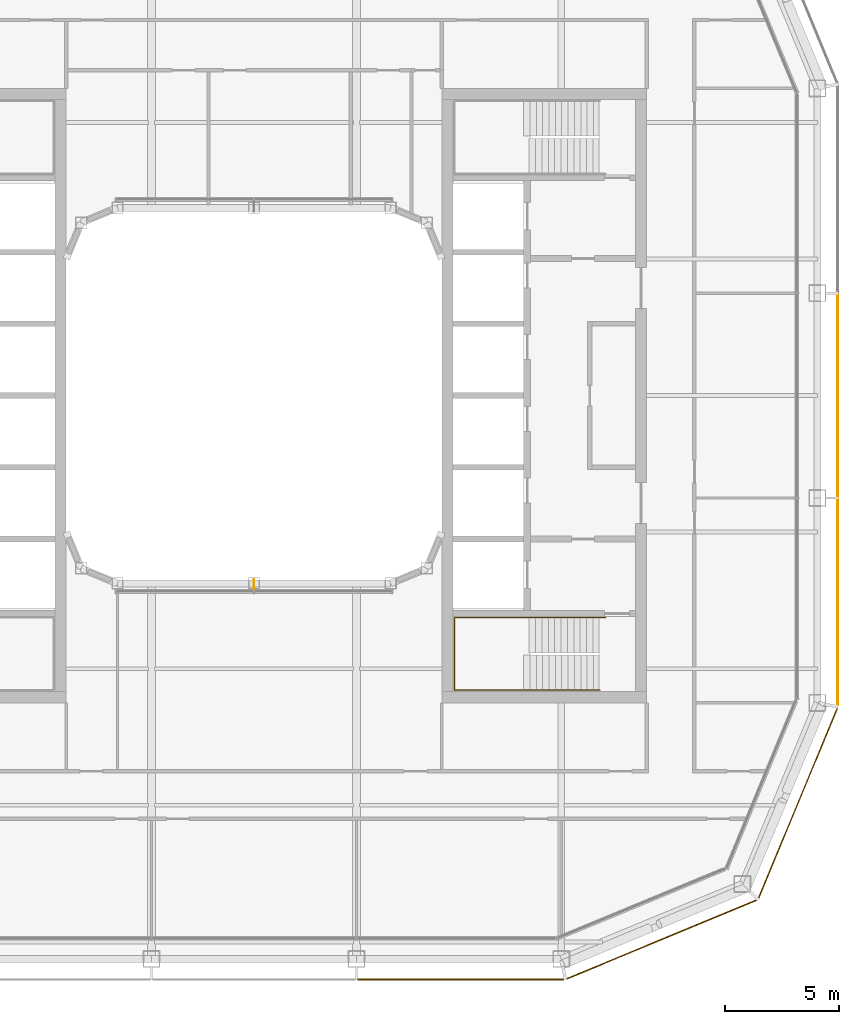
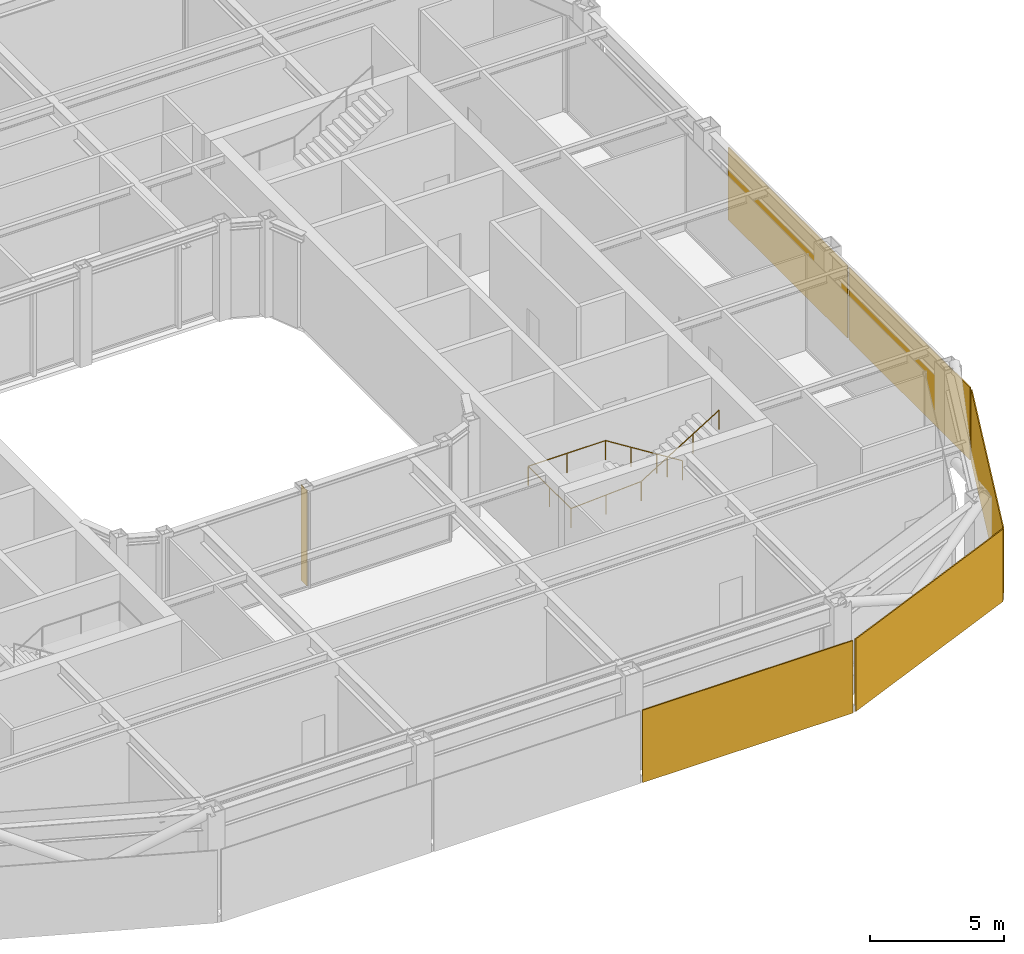
# One storey, part 18 of 21: 5 coverings, 1 railing, 1 shading device.
"""IFC4 building model written with IfcOpenShell, lengths in metres."""

from ifc_helpers import new_model, si_unit, direction, frame, origin, origin_2d, place, context, subcontext, project, spatial, rectangle, circle, extrude, material, layer, layer_set, type_object, element, save


model = new_model("IFC4")

# Units and contexts
model_context = context("Model", 3, precision=1e-05, world=origin(), true_north=direction((0.0, 1.0)))
body_context = subcontext(model_context, "Body", "Model", "MODEL_VIEW")
ifc_project = project(units=[si_unit("LENGTHUNIT", "METRE"), si_unit("AREAUNIT", "SQUARE_METRE"), si_unit("VOLUMEUNIT", "CUBIC_METRE"), si_unit("PLANEANGLEUNIT", "RADIAN"), si_unit("MASSUNIT", "GRAM", prefix="KILO")], contexts=[model_context])

# Site, building, storey
site_placement = place(None, origin())
site = spatial("IfcSite", under=ifc_project, at=site_placement, CompositionType="ELEMENT")
building_placement = place(site_placement, origin())
building = spatial("IfcBuilding", under=site, at=building_placement, Name="Siwar Civic Tower", CompositionType="ELEMENT")
storey_placement = place(building_placement, frame((0.0, 0.0, 294.199951171875)))
storey = spatial("IfcBuildingStorey", under=building, at=storey_placement, Name="L63", CompositionType="ELEMENT", Elevation=294.199951171875)

# Railing
ifc_material_1 = material(Name="Stainless steel", Category="steel")
railing_type = type_object("IfcRailingType", Name="CORE-STAIR-HANDRAIL", PredefinedType="HANDRAIL", material=ifc_material_1)
railing_placement = place(storey_placement, frame((15.449951171875, -9.758056640625, 0.173095703125)))
element("IfcRailing", 1, at=railing_placement, inside=storey, type_object=railing_type, Name="Stair handrail ST4", PredefinedType="HANDRAIL", context=body_context, shape_type="SweptSolid", body=[
    extrude(circle(Radius=0.02001953125, at=origin_2d()), frame((0.0, 0.0, 0.8798828125), z_axis=(-0.847063342986, 0.0, 0.531491950051), x_axis=(0.0, -1.0, 0.0)), (0.0, 0.0, 1.0), 3.90771484375),
    extrude(circle(Radius=0.02001953125, at=origin_2d()), frame((-3.31005859375, 0.0, 2.956787109375), z_axis=(-1.0, 0.0, 0.0), x_axis=(0.0, -1.0, 0.0)), (0.0, 0.0, 1.0), 3.331787109375),
    extrude(circle(Radius=0.02001953125, at=origin_2d()), frame((-6.641845703125, 0.0, 2.956787109375), z_axis=(0.0, -1.0, 0.0), x_axis=(1.0, 0.0, 0.0)), (0.0, 0.0, 1.0), 3.183837890625),
    extrude(circle(Radius=0.02001953125, at=origin_2d()), frame((-6.641845703125, -3.183837890625, 2.956787109375), z_axis=(0.99837434197, 0.0, 0.056997134106), x_axis=(0.0, 1.0, 0.0)), (0.0, 0.0, 1.0), 3.036865234375),
    extrude(circle(Radius=0.02001953125, at=origin_2d()), frame((-3.60986328125, -3.183837890625, 3.1298828125), z_axis=(0.850606129759, 0.0, 0.525803396734), x_axis=(0.0, 1.0, 0.0)), (0.0, 0.0, 1.0), 3.949951171875),
    extrude(circle(Radius=0.02001953125, at=origin_2d()), origin(), (0.0, 0.0, 1.0), 0.85986328125),
    extrude(circle(Radius=0.02001953125, at=origin_2d()), frame((-1.103271484375, 0.0, 0.6923828125)), (0.0, 0.0, 1.0), 0.85986328125),
    extrude(circle(Radius=0.02001953125, at=origin_2d()), frame((-2.206787109375, 0.0, 1.384521484375)), (0.0, 0.0, 1.0), 0.85986328125),
    extrude(circle(Radius=0.02001953125, at=origin_2d()), frame((-3.31005859375, 0.0, 2.076904296875)), (0.0, 0.0, 1.0), 0.85986328125),
    extrude(circle(Radius=0.02001953125, at=origin_2d()), frame((-4.97607421875, 0.0, 2.076904296875)), (0.0, 0.0, 1.0), 0.85986328125),
    extrude(circle(Radius=0.02001953125, at=origin_2d()), frame((-6.641845703125, 0.0, 2.076904296875)), (0.0, 0.0, 1.0), 0.85986328125),
    extrude(circle(Radius=0.02001953125, at=origin_2d()), frame((-6.641845703125, -1.591796875, 2.076904296875)), (0.0, 0.0, 1.0), 0.85986328125),
    extrude(circle(Radius=0.02001953125, at=origin_2d()), frame((-6.641845703125, -3.183837890625, 2.076904296875)), (0.0, 0.0, 1.0), 0.85986328125),
    extrude(circle(Radius=0.02001953125, at=origin_2d()), frame((-5.1259765625, -3.183837890625, 2.16357421875)), (0.0, 0.0, 1.0), 0.85986328125),
    extrude(circle(Radius=0.02001953125, at=origin_2d()), frame((-3.60986328125, -3.183837890625, 2.25)), (0.0, 0.0, 1.0), 0.85986328125),
    extrude(circle(Radius=0.02001953125, at=origin_2d()), frame((-2.489990234375, -3.183837890625, 2.9423828125)), (0.0, 0.0, 1.0), 0.85986328125),
    extrude(circle(Radius=0.02001953125, at=origin_2d()), frame((-1.369873046875, -3.183837890625, 3.634521484375)), (0.0, 0.0, 1.0), 0.85986328125),
    extrude(circle(Radius=0.02001953125, at=origin_2d()), frame((-0.25, -3.183837890625, 4.326904296875)), (0.0, 0.0, 1.0), 0.85986328125),
])

# Shading device
ifc_material_2 = material(Name="Aluminium 6063-T6", Category="aluminium")
ifc_layer_1 = layer(ifc_material_2, 0.02001953125)
ifc_layer_set_1 = layer_set([ifc_layer_1], Name="Aluminium 6063-T6")
shading_device_type = type_object("IfcShadingDeviceType", Name="ENV-FIN", PredefinedType="JALOUSIE", material=ifc_layer_set_1)
shading_device_placement = place(storey_placement, frame((0.0, -8.294921875, 0.0), z_axis=(0.0, 0.0, 1.0), x_axis=(1.0, 0.0, 0.0)))
element("IfcShadingDevice", 2, at=shading_device_placement, inside=storey, type_object=shading_device_type, Name="SUNSHADE fin WS 1", PredefinedType="JALOUSIE", context=body_context, shape_type="SweptSolid", body=[
    extrude(rectangle(XDim=0.02001953125, YDim=0.449951171875, at=origin_2d()), origin(), (0.0, 0.0, 1.0), 4.35009765625),
])

# Coverings
ifc_material_3 = material(Name="Perforated aluminium cassette, pale metal", Category="aluminium")
ifc_layer_2 = layer(ifc_material_3, 0.0400390625)
ifc_layer_set_2 = layer_set([ifc_layer_2], Name="Perforated aluminium cassette, pale metal")
covering_type_1 = type_object("IfcCoveringType", Name="ENV-OUTER SKIN OS-1", PredefinedType="CLADDING", material=ifc_layer_set_2)
covering_1_placement = place(storey_placement, frame((25.64990234375, -9.07958984375, -0.14990234375), z_axis=(0.0, 0.0, 1.0), x_axis=(0.0, 1.0, 0.0)))
element("IfcCovering", 3, at=covering_1_placement, inside=storey, type_object=covering_type_1, Name="OUTER SKIN OS-1 E 1", PredefinedType="CLADDING", context=body_context, shape_type="SweptSolid", body=[
    extrude(rectangle(XDim=9.05908203125, YDim=0.0400390625, at=origin_2d()), origin(), (0.0, 0.0, 1.0), 3.300048828125),
])
covering_2_placement = place(storey_placement, frame((25.64990234375, 0.0, -0.14990234375), z_axis=(0.0, 0.0, 1.0), x_axis=(0.0, 1.0, 0.0)))
element("IfcCovering", 4, at=covering_2_placement, inside=storey, type_object=covering_type_1, Name="OUTER SKIN OS-1 E 2", PredefinedType="CLADDING", context=body_context, shape_type="SweptSolid", body=[
    extrude(rectangle(XDim=8.89990234375, YDim=0.0400390625, at=origin_2d()), origin(), (0.0, 0.0, 1.0), 3.300048828125),
])
ifc_material_4 = material(Name="Perforated aluminium cassette, pale metal", Category="aluminium")
ifc_layer_3 = layer(ifc_material_4, 0.044921875)
ifc_layer_set_3 = layer_set([ifc_layer_3], Name="Perforated aluminium cassette, pale metal")
covering_type_2 = type_object("IfcCoveringType", Name="ENV-OUTER SKIN OS-2", PredefinedType="CLADDING", material=ifc_layer_set_3)
covering_3_placement = place(storey_placement, frame((23.89697265625, -17.911376953125, -0.14990234375), z_axis=(0.0, 0.0, 1.0), x_axis=(0.382683432365, 0.923879532511, 0.0)))
element("IfcCovering", 5, at=covering_3_placement, inside=storey, type_object=covering_type_2, Name="OUTER SKIN OS-2 SE2 1", PredefinedType="CLADDING", context=body_context, shape_type="SweptSolid", body=[
    extrude(rectangle(XDim=9.022216796875, YDim=0.044921875, at=origin_2d()), origin(), (0.0, 0.0, 1.0), 3.300048828125),
])
ifc_material_5 = material(Name="Perforated aluminium cassette, pale metal", Category="aluminium")
ifc_layer_4 = layer(ifc_material_5, 0.050048828125)
ifc_layer_set_4 = layer_set([ifc_layer_4], Name="Perforated aluminium cassette, pale metal")
covering_type_3 = type_object("IfcCoveringType", Name="ENV-OUTER SKIN OS-3", PredefinedType="CLADDING", material=ifc_layer_set_4)
covering_4_placement = place(storey_placement, frame((17.911376953125, -23.89697265625, -0.14990234375), z_axis=(0.0, 0.0, 1.0), x_axis=(0.923879532511, 0.382683432365, 0.0)))
element("IfcCovering", 6, at=covering_4_placement, inside=storey, type_object=covering_type_3, Name="OUTER SKIN OS-3 SE1 1", PredefinedType="CLADDING", context=body_context, shape_type="SweptSolid", body=[
    extrude(rectangle(XDim=9.022216796875, YDim=0.050048828125, at=origin_2d()), origin(), (0.0, 0.0, 1.0), 3.300048828125),
])
ifc_material_6 = material(Name="Perforated aluminium cassette, pale metal", Category="aluminium")
ifc_layer_5 = layer(ifc_material_6, 0.054931640625)
ifc_layer_set_5 = layer_set([ifc_layer_5], Name="Perforated aluminium cassette, pale metal")
covering_type_4 = type_object("IfcCoveringType", Name="ENV-OUTER SKIN OS-4", PredefinedType="CLADDING", material=ifc_layer_set_5)
covering_5_placement = place(storey_placement, frame((9.07958984375, -25.64990234375, -0.14990234375), z_axis=(0.0, 0.0, 1.0), x_axis=(1.0, 0.0, 0.0)))
element("IfcCovering", 7, at=covering_5_placement, inside=storey, type_object=covering_type_4, Name="OUTER SKIN OS-4 S 3", PredefinedType="CLADDING", context=body_context, shape_type="SweptSolid", body=[
    extrude(rectangle(XDim=9.05908203125, YDim=0.054931640625, at=origin_2d()), origin(), (0.0, 0.0, 1.0), 3.300048828125),
])

save(model, "model.ifc")
